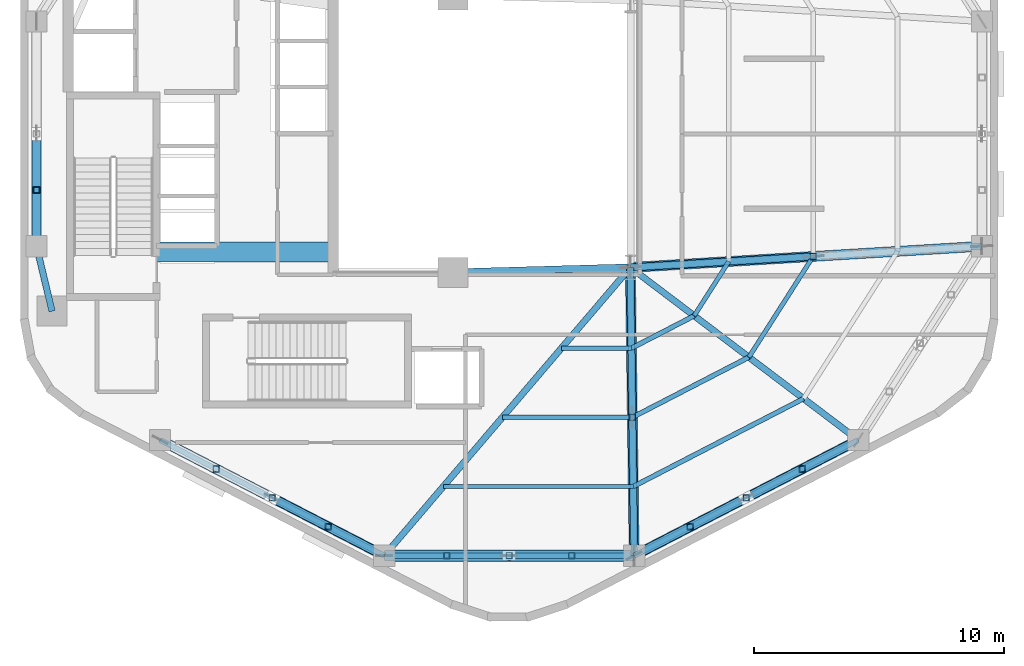
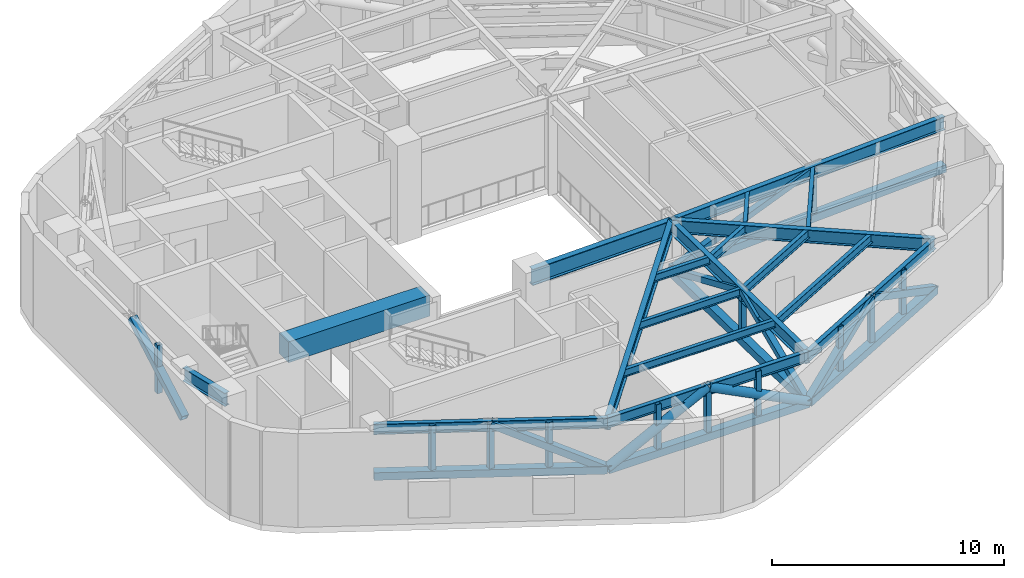
# One storey, part 2 of 10: 26 members, 18 beams.
"""IFC4 building model written with IfcOpenShell, lengths in metres."""

from ifc_helpers import new_model, si_unit, direction, frame, origin, origin_2d, place, context, subcontext, project, spatial, rectangle, hollow_rectangle, hollow_circle, i_section, extrude, material, material_profile, profile_set, type_object, element, save


model = new_model("IFC4")

# Units and contexts
model_context = context("Model", 3, precision=1e-05, world=origin(), true_north=direction((0.0, 1.0)))
body_context = subcontext(model_context, "Body", "Model", "MODEL_VIEW")
ifc_project = project(units=[si_unit("LENGTHUNIT", "METRE"), si_unit("AREAUNIT", "SQUARE_METRE"), si_unit("VOLUMEUNIT", "CUBIC_METRE"), si_unit("PLANEANGLEUNIT", "RADIAN"), si_unit("MASSUNIT", "GRAM", prefix="KILO"), si_unit("THERMODYNAMICTEMPERATUREUNIT", "KELVIN"), si_unit("POWERUNIT", "WATT")], contexts=[model_context])

# Site, building, storey
site_placement = place(None, origin())
site = spatial("IfcSite", under=ifc_project, at=site_placement, CompositionType="ELEMENT")
building_placement = place(site_placement, origin())
building = spatial("IfcBuilding", under=site, at=building_placement, Name="Skarre Station Tower", CompositionType="ELEMENT")
storey_placement = place(building_placement, frame((0.0, 0.0, 191.25)))
storey = spatial("IfcBuildingStorey", under=building, at=storey_placement, Name="L52", CompositionType="ELEMENT", Elevation=191.25)

# Beams
ifc_material_1 = material(Name="Concrete C70/85", Category="concrete")
ifc_material_profile_1 = material_profile(ifc_material_1, rectangle(XDim=0.800048828125, YDim=1.10009765625, at=origin_2d()), Name="Concrete C70/85")
ifc_profile_set_1 = profile_set([ifc_material_profile_1], Name="Concrete C70/85")
beam_type_1 = type_object("IfcBeamType", Name="RC Core Coupling Lintel 800x1100", PredefinedType="LINTEL", material=ifc_profile_set_1)
beam_1_placement = place(storey_placement, frame((20.489990234375, 19.260009765625, 4.389892578125), z_axis=(1.0, 0.0, 0.0), x_axis=(0.0, 1.0, 0.0)))
element("IfcBeam", 1, at=beam_1_placement, inside=storey, type_object=beam_type_1, Name="L52 South Core Coupling Lintel", PredefinedType="LINTEL", context=body_context, shape_type="SweptSolid", body=[
    extrude(rectangle(XDim=0.800048828125, YDim=1.10009765625, at=origin_2d()), origin(), (0.0, 0.0, 1.0), 7.06005859375),
])
ifc_material_2 = material(Name="Steel ASTM A992 Grade 50", Category="steel")
ifc_material_profile_2 = material_profile(ifc_material_2, i_section(OverallWidth=0.256103515625, OverallDepth=0.693115234375, WebThickness=0.013916015625, FlangeThickness=0.02392578125, at=origin_2d()), Name="Steel ASTM A992 Grade 50")
ifc_profile_set_2 = profile_set([ifc_material_profile_2], Name="Steel ASTM A992 Grade 50")
beam_type_2 = type_object("IfcBeamType", Name="Steel Beam W27X114", PredefinedType="BEAM", material=ifc_profile_set_2)
beam_2_placement = place(storey_placement, frame((16.300048828125, 16.89990234375, 4.593994140625), z_axis=(-0.232764815072, 0.972533053867, 0.0), x_axis=(-0.972533053867, -0.232764815072, 0.0)))
element("IfcBeam", 2, at=beam_2_placement, inside=storey, type_object=beam_type_2, Name="L52 Radial Floor Girder F2C2", PredefinedType="BEAM", context=body_context, shape_type="SweptSolid", body=[
    extrude(i_section(OverallWidth=0.256103515625, OverallDepth=0.693115234375, WebThickness=0.013916015625, FlangeThickness=0.02392578125, at=origin_2d()), origin(), (0.0, 0.0, 1.0), 2.672607421875),
])
beam_3_placement = place(storey_placement, frame((39.449951171875, 18.64990234375, 4.593994140625), z_axis=(-0.649364312169, -0.760477475065, 0.0), x_axis=(0.760477475065, -0.649364312169, 0.0)))
element("IfcBeam", 3, at=beam_3_placement, inside=storey, type_object=beam_type_2, Name="L52 Radial Floor Girder F3C2", PredefinedType="BEAM", context=body_context, shape_type="SweptSolid", body=[
    extrude(i_section(OverallWidth=0.256103515625, OverallDepth=0.693115234375, WebThickness=0.013916015625, FlangeThickness=0.02392578125, at=origin_2d()), origin(), (0.0, 0.0, 1.0), 15.171875),
])
beam_4_placement = place(storey_placement, frame((39.449951171875, 18.64990234375, 4.593994140625), z_axis=(0.013181528887, -0.999913119874, 0.0), x_axis=(0.999913119874, 0.013181528887, 0.0)))
element("IfcBeam", 4, at=beam_4_placement, inside=storey, type_object=beam_type_2, Name="L52 Radial Floor Girder F4C1", PredefinedType="BEAM", context=body_context, shape_type="SweptSolid", body=[
    extrude(i_section(OverallWidth=0.256103515625, OverallDepth=0.693115234375, WebThickness=0.013916015625, FlangeThickness=0.02392578125, at=origin_2d()), origin(), (0.0, 0.0, 1.0), 11.538818359375),
])
beam_5_placement = place(storey_placement, frame((39.449951171875, 18.64990234375, 4.593994140625), z_axis=(0.797308988117, -0.603571352425, 0.0), x_axis=(0.603571352425, 0.797308988117, 0.0)))
element("IfcBeam", 5, at=beam_5_placement, inside=storey, type_object=beam_type_2, Name="L52 Radial Floor Girder F4C2", PredefinedType="BEAM", context=body_context, shape_type="SweptSolid", body=[
    extrude(i_section(OverallWidth=0.256103515625, OverallDepth=0.693115234375, WebThickness=0.013916015625, FlangeThickness=0.02392578125, at=origin_2d()), origin(), (0.0, 0.0, 1.0), 11.443603515625),
])
beam_6_placement = place(storey_placement, frame((39.449951171875, 18.64990234375, 4.593994140625), z_axis=(0.998184432941, 0.060231535207, 0.0), x_axis=(-0.060231535207, 0.998184432941, 0.0)))
element("IfcBeam", 6, at=beam_6_placement, inside=storey, type_object=beam_type_2, Name="L52 Radial Floor Girder F5C1", PredefinedType="BEAM", context=body_context, shape_type="SweptSolid", body=[
    extrude(i_section(OverallWidth=0.256103515625, OverallDepth=0.693115234375, WebThickness=0.013916015625, FlangeThickness=0.02392578125, at=origin_2d()), origin(), (0.0, 0.0, 1.0), 14.09765625),
])
ifc_material_profile_3 = material_profile(ifc_material_2, i_section(OverallWidth=0.2919921875, OverallDepth=0.85888671875, WebThickness=0.01708984375, FlangeThickness=0.031005859375, at=origin_2d()), Name="Steel ASTM A992 Grade 50")
ifc_profile_set_3 = profile_set([ifc_material_profile_3], Name="Steel ASTM A992 Grade 50")
beam_type_3 = type_object("IfcBeamType", Name="Steel Beam W33X169", PredefinedType="BEAM", material=ifc_profile_set_3)
beam_7_placement = place(storey_placement, frame((32.35009765625, 18.449951171875, 4.510986328125), z_axis=(0.999603666405, 0.028151556095, 0.0), x_axis=(-0.028151556095, 0.999603666405, 0.0)))
element("IfcBeam", 7, at=beam_7_placement, inside=storey, type_object=beam_type_3, Name="L52 Atrium South Edge Girder", PredefinedType="BEAM", context=body_context, shape_type="SweptSolid", body=[
    extrude(i_section(OverallWidth=0.2919921875, OverallDepth=0.85888671875, WebThickness=0.01708984375, FlangeThickness=0.031005859375, at=origin_2d()), origin(), (0.0, 0.0, 1.0), 7.102783203125),
])
ifc_material_profile_4 = material_profile(ifc_material_2, i_section(OverallWidth=0.177978515625, OverallDepth=0.403076171875, WebThickness=0.008056640625, FlangeThickness=0.010986328125, at=origin_2d()), Name="Steel ASTM A992 Grade 50")
ifc_profile_set_4 = profile_set([ifc_material_profile_4], Name="Steel ASTM A992 Grade 50")
beam_type_4 = type_object("IfcBeamType", Name="Steel Joist W16X36", PredefinedType="JOIST", material=ifc_profile_set_4)
beam_8_placement = place(storey_placement, frame((36.69091796875, 15.4189453125, 4.738037109375), z_axis=(1.0, 0.0, 0.0), x_axis=(0.0, 1.0, 0.0)))
element("IfcBeam", 8, at=beam_8_placement, inside=storey, type_object=beam_type_4, Name="L52 Auxiliary Composite Joist 10", PredefinedType="JOIST", context=body_context, shape_type="SweptSolid", body=[
    extrude(i_section(OverallWidth=0.177978515625, OverallDepth=0.403076171875, WebThickness=0.008056640625, FlangeThickness=0.010986328125, at=origin_2d()), origin(), (0.0, 0.0, 1.0), 2.802001953125),
])
beam_9_placement = place(storey_placement, frame((34.326904296875, 12.64990234375, 4.738037109375), z_axis=(1.0, 0.0, 0.0), x_axis=(0.0, 1.0, 0.0)))
element("IfcBeam", 9, at=beam_9_placement, inside=storey, type_object=beam_type_4, Name="L52 Auxiliary Composite Joist 11", PredefinedType="JOIST", context=body_context, shape_type="SweptSolid", body=[
    extrude(i_section(OverallWidth=0.177978515625, OverallDepth=0.403076171875, WebThickness=0.008056640625, FlangeThickness=0.010986328125, at=origin_2d()), origin(), (0.0, 0.0, 1.0), 5.2021484375),
])
beam_10_placement = place(storey_placement, frame((31.9619140625, 9.881103515625, 4.738037109375), z_axis=(1.0, 0.0, 0.0), x_axis=(0.0, 1.0, 0.0)))
element("IfcBeam", 10, at=beam_10_placement, inside=storey, type_object=beam_type_4, Name="L52 Auxiliary Composite Joist 12", PredefinedType="JOIST", context=body_context, shape_type="SweptSolid", body=[
    extrude(i_section(OverallWidth=0.177978515625, OverallDepth=0.403076171875, WebThickness=0.008056640625, FlangeThickness=0.010986328125, at=origin_2d()), origin(), (0.0, 0.0, 1.0), 7.60400390625),
])
beam_11_placement = place(storey_placement, frame((42.0048828125, 16.716064453125, 4.738037109375), z_axis=(0.537678636248, 0.843149858639, 0.0), x_axis=(-0.843149858639, 0.537678636248, 0.0)))
element("IfcBeam", 11, at=beam_11_placement, inside=storey, type_object=beam_type_4, Name="L52 Auxiliary Composite Joist 16", PredefinedType="JOIST", context=body_context, shape_type="SweptSolid", body=[
    extrude(i_section(OverallWidth=0.177978515625, OverallDepth=0.403076171875, WebThickness=0.008056640625, FlangeThickness=0.010986328125, at=origin_2d()), origin(), (0.0, 0.0, 1.0), 2.575927734375),
])
beam_12_placement = place(storey_placement, frame((44.194091796875, 15.05810546875, 4.738037109375), z_axis=(0.53785259263, 0.843038901001, 0.0), x_axis=(-0.843038901001, 0.53785259263, 0.0)))
element("IfcBeam", 12, at=beam_12_placement, inside=storey, type_object=beam_type_4, Name="L52 Auxiliary Composite Joist 17", PredefinedType="JOIST", context=body_context, shape_type="SweptSolid", body=[
    extrude(i_section(OverallWidth=0.177978515625, OverallDepth=0.403076171875, WebThickness=0.008056640625, FlangeThickness=0.010986328125, at=origin_2d()), origin(), (0.0, 0.0, 1.0), 4.783935546875),
])
ifc_material_profile_5 = material_profile(ifc_material_2, i_section(OverallWidth=0.19091796875, OverallDepth=0.45703125, WebThickness=0.009033203125, FlangeThickness=0.013916015625, at=origin_2d()), Name="Steel ASTM A992 Grade 50")
ifc_profile_set_5 = profile_set([ifc_material_profile_5], Name="Steel ASTM A992 Grade 50")
beam_type_5 = type_object("IfcBeamType", Name="Steel Joist W18X50", PredefinedType="JOIST", material=ifc_profile_set_5)
beam_13_placement = place(storey_placement, frame((39.492919921875, 15.4189453125, 4.7119140625), z_axis=(0.888530947613, 0.458816690122, 0.0), x_axis=(-0.458816690122, 0.888530947613, 0.0)))
element("IfcBeam", 13, at=beam_13_placement, inside=storey, type_object=beam_type_5, Name="L52 Auxiliary Composite Joist 13", PredefinedType="JOIST", context=body_context, shape_type="SweptSolid", body=[
    extrude(i_section(OverallWidth=0.19091796875, OverallDepth=0.45703125, WebThickness=0.009033203125, FlangeThickness=0.013916015625, at=origin_2d()), origin(), (0.0, 0.0, 1.0), 2.8271484375),
])
beam_14_placement = place(storey_placement, frame((39.529052734375, 12.64990234375, 4.7119140625), z_axis=(0.888586417093, 0.458709253622, 0.0), x_axis=(-0.458709253622, 0.888586417093, 0.0)))
element("IfcBeam", 14, at=beam_14_placement, inside=storey, type_object=beam_type_5, Name="L52 Auxiliary Composite Joist 14", PredefinedType="JOIST", context=body_context, shape_type="SweptSolid", body=[
    extrude(i_section(OverallWidth=0.19091796875, OverallDepth=0.45703125, WebThickness=0.009033203125, FlangeThickness=0.013916015625, at=origin_2d()), origin(), (0.0, 0.0, 1.0), 5.25),
])
beam_15_placement = place(storey_placement, frame((39.56591796875, 9.881103515625, 4.7119140625), z_axis=(0.888580913917, 0.458719913916, 0.0), x_axis=(-0.458719913916, 0.888580913917, 0.0)))
element("IfcBeam", 15, at=beam_15_placement, inside=storey, type_object=beam_type_5, Name="L52 Auxiliary Composite Joist 15", PredefinedType="JOIST", context=body_context, shape_type="SweptSolid", body=[
    extrude(i_section(OverallWidth=0.19091796875, OverallDepth=0.45703125, WebThickness=0.009033203125, FlangeThickness=0.013916015625, at=origin_2d()), origin(), (0.0, 0.0, 1.0), 7.673095703125),
])
ifc_material_profile_6 = material_profile(ifc_material_2, i_section(OverallWidth=0.214111328125, OverallDepth=0.549072265625, WebThickness=0.014892578125, FlangeThickness=0.02392578125, at=origin_2d()), Name="Steel ASTM A992 Grade 50")
ifc_profile_set_6 = profile_set([ifc_material_profile_6], Name="Steel ASTM A992 Grade 50")
beam_type_6 = type_object("IfcBeamType", Name="Steel Spandrel W21X93", PredefinedType="SPANDREL", material=ifc_profile_set_6)
beam_16_placement = place(storey_placement, frame((20.6259765625, 11.742919921875, 4.666015625), z_axis=(0.888613027226, -0.458657702262, 0.0), x_axis=(0.458657702262, 0.888613027226, 0.0)))
element("IfcBeam", 16, at=beam_16_placement, inside=storey, type_object=beam_type_6, Name="L52 Facet Spandrel Beam 7", PredefinedType="SPANDREL", context=body_context, shape_type="SweptSolid", body=[
    extrude(i_section(OverallWidth=0.214111328125, OverallDepth=0.549072265625, WebThickness=0.014892578125, FlangeThickness=0.02392578125, at=origin_2d()), origin(), (0.0, 0.0, 1.0), 10.096435546875),
])
beam_17_placement = place(storey_placement, frame((29.597900390625, 7.112060546875, 4.666015625), z_axis=(1.0, 0.0, 0.0), x_axis=(0.0, 1.0, 0.0)))
element("IfcBeam", 17, at=beam_17_placement, inside=storey, type_object=beam_type_6, Name="L52 Facet Spandrel Beam 8", PredefinedType="SPANDREL", context=body_context, shape_type="SweptSolid", body=[
    extrude(i_section(OverallWidth=0.214111328125, OverallDepth=0.549072265625, WebThickness=0.014892578125, FlangeThickness=0.02392578125, at=origin_2d()), origin(), (0.0, 0.0, 1.0), 10.004150390625),
])
beam_18_placement = place(storey_placement, frame((39.60205078125, 7.112060546875, 4.666015625), z_axis=(0.888613027226, 0.458657702262, 0.0), x_axis=(-0.458657702262, 0.888613027226, 0.0)))
element("IfcBeam", 18, at=beam_18_placement, inside=storey, type_object=beam_type_6, Name="L52 Facet Spandrel Beam 9", PredefinedType="SPANDREL", context=body_context, shape_type="SweptSolid", body=[
    extrude(i_section(OverallWidth=0.214111328125, OverallDepth=0.549072265625, WebThickness=0.014892578125, FlangeThickness=0.02392578125, at=origin_2d()), origin(), (0.0, 0.0, 1.0), 10.096435546875),
])

# Members
ifc_material_3 = material(Name="Steel ASTM A500 Grade C", Category="steel")
ifc_material_profile_7 = material_profile(ifc_material_3, hollow_circle(Radius=0.228515625, WallThickness=0.02001953125, at=origin_2d()), Name="Steel ASTM A500 Grade C")
ifc_profile_set_7 = profile_set([ifc_material_profile_7], Name="Steel ASTM A500 Grade C")
member_type_1 = type_object("IfcMemberType", Name="Steel Truss Brace CHS457X20", PredefinedType="BRACE", material=ifc_profile_set_7)
member_1_placement = place(storey_placement, frame((29.597900390625, 7.112060546875, 2.25), z_axis=(0.891633526693, 0.0, 0.452757831603), x_axis=(0.0, 1.0, 0.0)))
element("IfcMember", 19, at=member_1_placement, inside=storey, type_object=member_type_1, Name="L52 Belt Truss Chevron Diagonal 8A", PredefinedType="BRACE", context=body_context, shape_type="SweptSolid", body=[
    extrude(hollow_circle(Radius=0.228515625, WallThickness=0.02001953125, at=origin_2d()), origin(), (0.0, 0.0, 1.0), 5.610107421875),
])
member_2_placement = place(storey_placement, frame((39.60205078125, 7.112060546875, 2.25), z_axis=(-0.891624605501, 0.0, 0.452775400021), x_axis=(0.0, -1.0, 0.0)))
element("IfcMember", 20, at=member_2_placement, inside=storey, type_object=member_type_1, Name="L52 Belt Truss Chevron Diagonal 8B", PredefinedType="BRACE", context=body_context, shape_type="SweptSolid", body=[
    extrude(hollow_circle(Radius=0.228515625, WallThickness=0.02001953125, at=origin_2d()), origin(), (0.0, 0.0, 1.0), 5.60986328125),
])
ifc_material_profile_8 = material_profile(ifc_material_3, hollow_rectangle(XDim=0.300048828125, YDim=0.300048828125, WallThickness=0.01611328125, at=origin_2d()), Name="Steel ASTM A500 Grade C")
ifc_profile_set_8 = profile_set([ifc_material_profile_8], Name="Steel ASTM A500 Grade C")
member_type_2 = type_object("IfcMemberType", Name="Steel Truss Brace HSS300X300X16", PredefinedType="BRACE", material=ifc_profile_set_8)
member_3_placement = place(storey_placement, frame((39.449951171875, 18.64990234375, 2.25), z_axis=(0.012139617752, -0.920812487289, 0.389816614492), x_axis=(0.999913107755, 0.013182448198, 0.0)))
element("IfcMember", 21, at=member_3_placement, inside=storey, type_object=member_type_2, Name="L52 Outrigger Truss Diagonal 2A", PredefinedType="BRACE", context=body_context, shape_type="SweptSolid", body=[
    extrude(hollow_rectangle(XDim=0.300048828125, YDim=0.300048828125, WallThickness=0.01611328125, at=origin_2d()), origin(), (0.0, 0.0, 1.0), 6.515869140625),
])
member_4_placement = place(storey_placement, frame((39.60205078125, 7.112060546875, 2.25), z_axis=(-0.011980613789, 0.908883821344, 0.416877277136), x_axis=(-0.999913133004, -0.013180532856, 0.0)))
element("IfcMember", 22, at=member_4_placement, inside=storey, type_object=member_type_2, Name="L52 Outrigger Truss Diagonal 2B", PredefinedType="BRACE", context=body_context, shape_type="SweptSolid", body=[
    extrude(hollow_rectangle(XDim=0.300048828125, YDim=0.300048828125, WallThickness=0.01611328125, at=origin_2d()), origin(), (0.0, 0.0, 1.0), 6.093017578125),
])
member_5_placement = place(storey_placement, frame((39.449951171875, 18.64990234375, 2.25), z_axis=(0.943170374844, 0.056865265335, 0.327407980377), x_axis=(-0.060182330693, 0.998187400778, 0.0)))
element("IfcMember", 23, at=member_5_placement, inside=storey, type_object=member_type_2, Name="L52 Outrigger Truss Diagonal 3A", PredefinedType="BRACE", context=body_context, shape_type="SweptSolid", body=[
    extrude(hollow_rectangle(XDim=0.300048828125, YDim=0.300048828125, WallThickness=0.01611328125, at=origin_2d()), origin(), (0.0, 0.0, 1.0), 7.758056640625),
])
ifc_material_profile_9 = material_profile(ifc_material_3, hollow_rectangle(XDim=0.35009765625, YDim=0.35009765625, WallThickness=0.02001953125, at=origin_2d()), Name="Steel ASTM A500 Grade C")
ifc_profile_set_9 = profile_set([ifc_material_profile_9], Name="Steel ASTM A500 Grade C")
member_type_3 = type_object("IfcMemberType", Name="Steel Truss Brace HSS350X350X20", PredefinedType="BRACE", material=ifc_profile_set_9)
member_6_placement = place(storey_placement, frame((15.677978515625, 19.4990234375, 2.25), z_axis=(0.0, 0.870893448532, 0.491471872343), x_axis=(-1.0, 0.0, 0.0)))
element("IfcMember", 24, at=member_6_placement, inside=storey, type_object=member_type_3, Name="L52 Belt Truss Chevron Diagonal 5B", PredefinedType="BRACE", context=body_context, shape_type="SweptSolid", body=[
    extrude(hollow_rectangle(XDim=0.35009765625, YDim=0.35009765625, WallThickness=0.02001953125, at=origin_2d()), origin(), (0.0, 0.0, 1.0), 5.168212890625),
])
for number, where, z_axis, x_axis, name in (
    (25, (29.597900390625, 7.112060546875, 2.25), (-0.793760854971, 0.409797293472, 0.449455096066), (-0.458743928623, -0.888568516183, 0.0), "L52 Belt Truss Chevron Diagonal 7B"),
    (26, (39.60205078125, 7.112060546875, 2.25), (0.793760854971, 0.409797293472, 0.449455096066), (-0.458743928623, 0.888568516183, 0.0), "L52 Belt Truss Chevron Diagonal 9A"),
):
    element("IfcMember", number, at=place(storey_placement, frame(where, z_axis=z_axis, x_axis=x_axis)), inside=storey, type_object=member_type_3, Name=name, PredefinedType="BRACE", context=body_context, shape_type="SweptSolid", body=[
        extrude(hollow_rectangle(XDim=0.35009765625, YDim=0.35009765625, WallThickness=0.02001953125, at=origin_2d()), origin(), (0.0, 0.0, 1.0), 5.6513671875),
    ])
member_7_placement = place(storey_placement, frame((48.573974609375, 11.742919921875, 2.25), z_axis=(-0.793833036045, -0.409639447498, 0.449471505144), x_axis=(0.458571467637, -0.888657531937, 0.0)))
element("IfcMember", 27, at=member_7_placement, inside=storey, type_object=member_type_3, Name="L52 Belt Truss Chevron Diagonal 9B", PredefinedType="BRACE", context=body_context, shape_type="SweptSolid", body=[
    extrude(hollow_rectangle(XDim=0.35009765625, YDim=0.35009765625, WallThickness=0.02001953125, at=origin_2d()), origin(), (0.0, 0.0, 1.0), 5.651123046875),
])
ifc_material_profile_10 = material_profile(ifc_material_3, hollow_rectangle(XDim=0.39990234375, YDim=0.39990234375, WallThickness=0.02197265625, at=origin_2d()), Name="Steel ASTM A500 Grade C")
ifc_profile_set_10 = profile_set([ifc_material_profile_10], Name="Steel ASTM A500 Grade C")
member_type_4 = type_object("IfcMemberType", Name="Steel Truss Chord HSS400X400X22", PredefinedType="CHORD", material=ifc_profile_set_10)
member_8_placement = place(storey_placement, frame((20.6259765625, 11.742919921875, 2.25), z_axis=(0.888613027226, -0.458657702262, 0.0), x_axis=(0.458657702262, 0.888613027226, 0.0)))
element("IfcMember", 28, at=member_8_placement, inside=storey, type_object=member_type_4, Name="L52 Belt Truss Bottom Chord 7", PredefinedType="CHORD", context=body_context, shape_type="SweptSolid", body=[
    extrude(hollow_rectangle(XDim=0.39990234375, YDim=0.39990234375, WallThickness=0.02197265625, at=origin_2d()), origin(), (0.0, 0.0, 1.0), 10.096435546875),
])
member_9_placement = place(storey_placement, frame((29.597900390625, 7.112060546875, 2.25), z_axis=(1.0, 0.0, 0.0), x_axis=(0.0, 1.0, 0.0)))
element("IfcMember", 29, at=member_9_placement, inside=storey, type_object=member_type_4, Name="L52 Belt Truss Bottom Chord 8", PredefinedType="CHORD", context=body_context, shape_type="SweptSolid", body=[
    extrude(hollow_rectangle(XDim=0.39990234375, YDim=0.39990234375, WallThickness=0.02197265625, at=origin_2d()), origin(), (0.0, 0.0, 1.0), 10.004150390625),
])
member_10_placement = place(storey_placement, frame((39.60205078125, 7.112060546875, 2.25), z_axis=(0.888613027226, 0.458657702262, 0.0), x_axis=(-0.458657702262, 0.888613027226, 0.0)))
element("IfcMember", 30, at=member_10_placement, inside=storey, type_object=member_type_4, Name="L52 Belt Truss Bottom Chord 9", PredefinedType="CHORD", context=body_context, shape_type="SweptSolid", body=[
    extrude(hollow_rectangle(XDim=0.39990234375, YDim=0.39990234375, WallThickness=0.02197265625, at=origin_2d()), origin(), (0.0, 0.0, 1.0), 10.096435546875),
])
member_11_placement = place(storey_placement, frame((39.449951171875, 18.64990234375, 2.25), z_axis=(0.013181528887, -0.999913119874, 0.0), x_axis=(0.999913119874, 0.013181528887, 0.0)))
element("IfcMember", 31, at=member_11_placement, inside=storey, type_object=member_type_4, Name="L52 Outrigger Truss Bottom Chord 2", PredefinedType="CHORD", context=body_context, shape_type="SweptSolid", body=[
    extrude(hollow_rectangle(XDim=0.39990234375, YDim=0.39990234375, WallThickness=0.02197265625, at=origin_2d()), origin(), (0.0, 0.0, 1.0), 11.538818359375),
])
member_12_placement = place(storey_placement, frame((39.449951171875, 18.64990234375, 2.25), z_axis=(0.998184432941, 0.060231535207, 0.0), x_axis=(-0.060231535207, 0.998184432941, 0.0)))
element("IfcMember", 32, at=member_12_placement, inside=storey, type_object=member_type_4, Name="L52 Outrigger Truss Bottom Chord 3", PredefinedType="CHORD", context=body_context, shape_type="SweptSolid", body=[
    extrude(hollow_rectangle(XDim=0.39990234375, YDim=0.39990234375, WallThickness=0.02197265625, at=origin_2d()), origin(), (0.0, 0.0, 1.0), 14.09765625),
])
ifc_material_profile_11 = material_profile(ifc_material_3, hollow_rectangle(XDim=0.25, YDim=0.25, WallThickness=0.01611328125, at=origin_2d()), Name="Steel ASTM A500 Grade C")
ifc_profile_set_11 = profile_set([ifc_material_profile_11], Name="Steel ASTM A500 Grade C")
member_type_5 = type_object("IfcMemberType", Name="Steel Truss Strut HSS250X250X16", PredefinedType="STRUT", material=ifc_profile_set_11)
for number, where, z_axis, x_axis, name in (
    (33, (15.677978515625, 21.7490234375, 2.25), (0.0, 0.0, 1.0), (1.0, 0.0, 0.0), "L52 Belt Truss Web Post 5-3"),
    (34, (22.868896484375, 10.5849609375, 2.25), (0.0, 0.0, 1.0), (1.0, 0.0, 0.0), "L52 Belt Truss Web Post 7-1"),
    (35, (25.112060546875, 9.427978515625, 2.25), (0.0, 0.0, 1.0), (1.0, 0.0, 0.0), "L52 Belt Truss Web Post 7-2"),
    (36, (27.35498046875, 8.27001953125, 2.25), (0.0, 0.0, 1.0), (1.0, 0.0, 0.0), "L52 Belt Truss Web Post 7-3"),
    (37, (32.09912109375, 7.112060546875, 2.25), (0.0, 0.0, 1.0), (1.0, 0.0, 0.0), "L52 Belt Truss Web Post 8-1"),
    (38, (34.60009765625, 7.112060546875, 2.25), (0.0, 0.0, 1.0), (1.0, 0.0, 0.0), "L52 Belt Truss Web Post 8-2"),
    (39, (37.10107421875, 7.112060546875, 2.25), (0.0, 0.0, 1.0), (1.0, 0.0, 0.0), "L52 Belt Truss Web Post 8-3"),
    (40, (41.844970703125, 8.27001953125, 2.25), (0.0, 0.0, 1.0), (1.0, 0.0, 0.0), "L52 Belt Truss Web Post 9-1"),
    (41, (44.087890625, 9.427978515625, 2.25), (0.0, 0.0, 1.0), (1.0, 0.0, 0.0), "L52 Belt Truss Web Post 9-2"),
    (42, (46.3310546875, 10.5849609375, 2.25), (0.0, 0.0, 1.0), (1.0, 0.0, 0.0), "L52 Belt Truss Web Post 9-3"),
    (43, (39.529052734375, 12.64990234375, 2.25), (0.0, 0.0, 1.0), (1.0, 0.0, 0.0), "L52 Outrigger Truss Web Post 2"),
    (44, (46.76708984375, 19.091064453125, 2.25), (0.0, 0.0, 1.0), (1.0, 0.0, 0.0), "L52 Outrigger Truss Web Post 3"),
):
    element("IfcMember", number, at=place(storey_placement, frame(where, z_axis=z_axis, x_axis=x_axis)), inside=storey, type_object=member_type_5, Name=name, PredefinedType="STRUT", context=body_context, shape_type="SweptSolid", body=[
        extrude(hollow_rectangle(XDim=0.25, YDim=0.25, WallThickness=0.01611328125, at=origin_2d()), origin(), (0.0, 0.0, 1.0), 2.5400390625),
    ])

save(model, "model.ifc")
